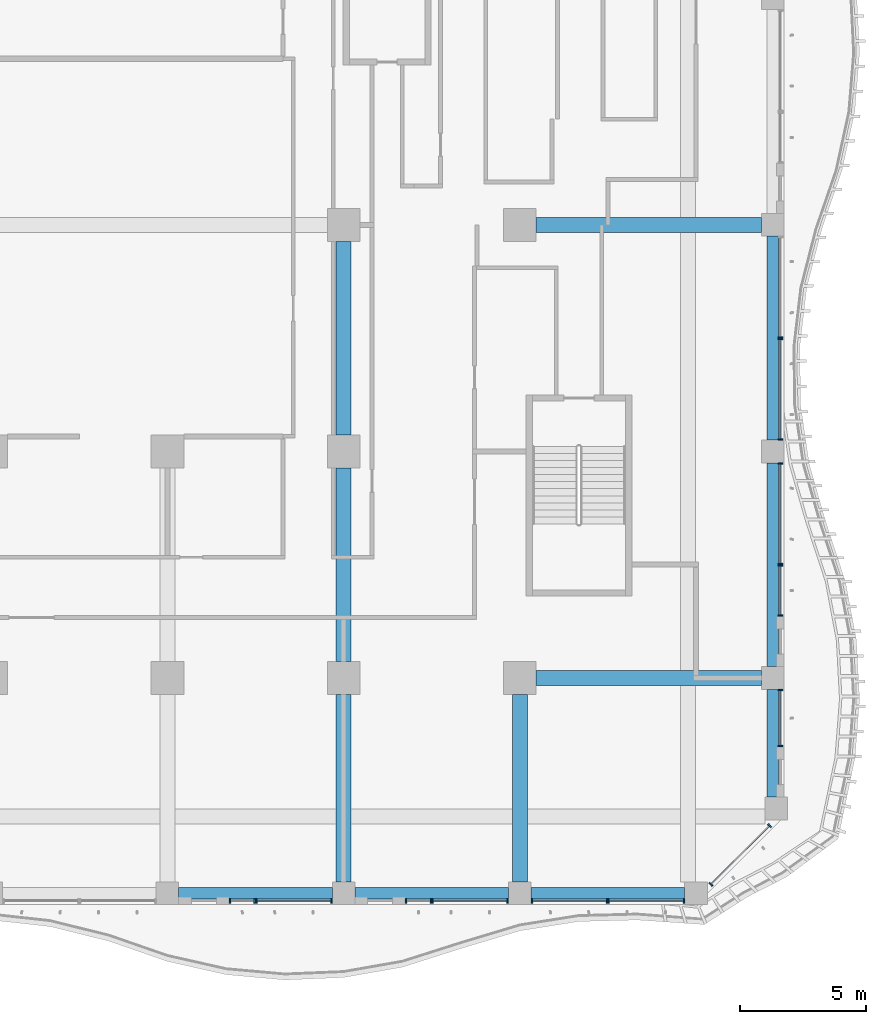
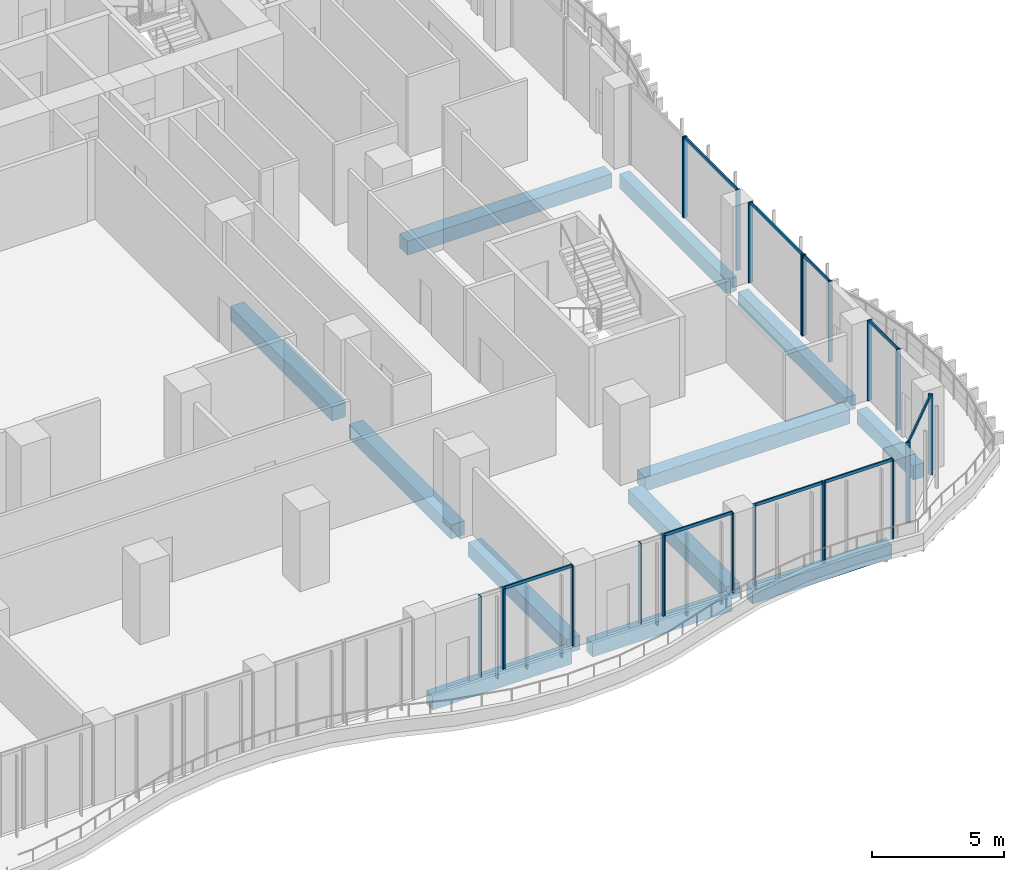
# One storey, part 4 of 27: 32 members, 12 beams, 12 elements without a shape of their own.
"""IFC4 building model written with IfcOpenShell, lengths in metres."""

from ifc_helpers import new_model, si_unit, direction, frame, origin, origin_2d, place, context, subcontext, project, spatial, rectangle, extrude, source, transform, mapped, material, material_profile, profile_set, type_object, element, aggregate, save


model = new_model("IFC4")

# Units and contexts
model_context = context("Model", 3, precision=1e-05, world=origin(), true_north=direction((0.0, 1.0)))
body_context = subcontext(model_context, "Body", "Model", "MODEL_VIEW")
ifc_project = project(units=[si_unit("LENGTHUNIT", "METRE"), si_unit("AREAUNIT", "SQUARE_METRE"), si_unit("VOLUMEUNIT", "CUBIC_METRE"), si_unit("PLANEANGLEUNIT", "RADIAN"), si_unit("MASSUNIT", "GRAM", prefix="KILO")], contexts=[model_context])

# Site, building, storey
site_placement = place(None, origin())
site = spatial("IfcSite", under=ifc_project, at=site_placement, CompositionType="ELEMENT")
building_placement = place(site_placement, origin())
building = spatial("IfcBuilding", under=site, at=building_placement, Name="Kilnfold Tower and Market Hall", CompositionType="ELEMENT")
storey_placement = place(building_placement, frame((0.0, 0.0, 47.0)))
storey = spatial("IfcBuildingStorey", under=building, at=storey_placement, Name="L10", CompositionType="ELEMENT", Elevation=47.0)

# Beams
ifc_material_1 = material(Name="Concrete C45", Category="concrete")
ifc_material_profile_1 = material_profile(ifc_material_1, rectangle(XDim=0.449951171875, YDim=0.64990234375, at=origin_2d()), Name="RC 450x650")
ifc_profile_set_1 = profile_set([ifc_material_profile_1], Name="Concrete C45")
beam_type_1 = type_object("IfcBeamType", Name="EDGE BEAM 450X650 C45", PredefinedType="BEAM", material=ifc_profile_set_1)
shared_shape_1 = source(origin(), body_context, "Body", "SweptSolid", [
    extrude(rectangle(XDim=0.449951171875, YDim=0.64990234375, at=origin_2d()), origin(), (0.0, 0.0, 1.0), 6.10009765625),
])
for number, where, z_axis, x_axis, name in (
    (1, (3.949951171875, -27.550048828125, -0.60498046875), (1.0, 0.0, 0.0), (0.0, 1.0, 0.0), "Beam EB650-B1.4"),
    (2, (10.949951171875, -27.550048828125, -0.60498046875), (1.0, 0.0, 0.0), (0.0, 1.0, 0.0), "Beam EB650-B1.5"),
    (3, (17.949951171875, -27.550048828125, -0.60498046875), (1.0, 0.0, 0.0), (0.0, 1.0, 0.0), "Beam EB650-B1.6"),
):
    element("IfcBeam", number, at=place(storey_placement, frame(where, z_axis=z_axis, x_axis=x_axis)), inside=storey, type_object=beam_type_1, Name=name, PredefinedType="BEAM", context=body_context, shape_type="MappedRepresentation", body=[
        mapped(shared_shape_1, transform((0.0, 0.0, 0.0))),
    ])
ifc_material_2 = material(Name="Concrete C45", Category="concrete")
ifc_material_profile_2 = material_profile(ifc_material_2, rectangle(XDim=0.60009765625, YDim=0.64990234375, at=origin_2d()), Name="RC 600x650")
ifc_profile_set_2 = profile_set([ifc_material_profile_2], Name="Concrete C45")
beam_type_2 = type_object("IfcBeamType", Name="BEAM 600X650 C45", PredefinedType="BEAM", material=ifc_profile_set_2)
shared_shape_2 = source(origin(), body_context, "Body", "SweptSolid", [
    extrude(rectangle(XDim=0.60009765625, YDim=0.64990234375, at=origin_2d()), origin(), (0.0, 0.0, 1.0), 8.9501953125),
])
for number, where, z_axis, x_axis, name in (
    (4, (18.14990234375, -19.0, -0.60498046875), (1.0, 0.0, 0.0), (0.0, 1.0, 0.0), "Beam BB650-B1.12"),
    (5, (18.14990234375, -1.0, -0.60498046875), (1.0, 0.0, 0.0), (0.0, 1.0, 0.0), "Beam BB650-B1.20"),
):
    element("IfcBeam", number, at=place(storey_placement, frame(where, z_axis=z_axis, x_axis=x_axis)), inside=storey, type_object=beam_type_2, Name=name, PredefinedType="BEAM", context=body_context, shape_type="MappedRepresentation", body=[
        mapped(shared_shape_2, transform((0.0, 0.0, 0.0))),
    ])
shared_shape_3 = source(origin(), body_context, "Body", "SweptSolid", [
    extrude(rectangle(XDim=0.449951171875, YDim=0.64990234375, at=origin_2d()), origin(), (0.0, 0.0, 1.0), 8.10009765625),
])
for number, where, z_axis, x_axis, name in (
    (6, (27.550048828125, -18.550048828125, -0.60498046875), (0.0, 1.0, 0.0), (-1.0, 0.0, 0.0), "Beam EB650-B1.52"),
    (7, (27.550048828125, -9.550048828125, -0.60498046875), (0.0, 1.0, 0.0), (-1.0, 0.0, 0.0), "Beam EB650-B1.58"),
):
    element("IfcBeam", number, at=place(storey_placement, frame(where, z_axis=z_axis, x_axis=x_axis)), inside=storey, type_object=beam_type_1, Name=name, PredefinedType="BEAM", context=body_context, shape_type="MappedRepresentation", body=[
        mapped(shared_shape_3, transform((0.0, 0.0, 0.0))),
    ])
shared_shape_4 = source(origin(), body_context, "Body", "SweptSolid", [
    extrude(rectangle(XDim=0.60009765625, YDim=0.64990234375, at=origin_2d()), origin(), (0.0, 0.0, 1.0), 7.4501953125),
])
for number, where, z_axis, x_axis, name in (
    (8, (10.5, -27.10009765625, -0.60498046875), (0.0, 1.0, 0.0), (-1.0, 0.0, 0.0), "Beam BB650-B1.47"),
    (9, (17.5, -27.10009765625, -0.60498046875), (0.0, 1.0, 0.0), (-1.0, 0.0, 0.0), "Beam BB650-B1.50"),
):
    element("IfcBeam", number, at=place(storey_placement, frame(where, z_axis=z_axis, x_axis=x_axis)), inside=storey, type_object=beam_type_2, Name=name, PredefinedType="BEAM", context=body_context, shape_type="MappedRepresentation", body=[
        mapped(shared_shape_4, transform((0.0, 0.0, 0.0))),
    ])
shared_shape_5 = source(origin(), body_context, "Body", "SweptSolid", [
    extrude(rectangle(XDim=0.60009765625, YDim=0.64990234375, at=origin_2d()), origin(), (0.0, 0.0, 1.0), 7.7001953125),
])
for number, where, z_axis, x_axis, name in (
    (10, (10.5, -18.35009765625, -0.60498046875), (0.0, 1.0, 0.0), (-1.0, 0.0, 0.0), "Beam BB650-B1.48"),
    (11, (10.5, -9.35009765625, -0.60498046875), (0.0, 1.0, 0.0), (-1.0, 0.0, 0.0), "Beam BB650-B1.49"),
):
    element("IfcBeam", number, at=place(storey_placement, frame(where, z_axis=z_axis, x_axis=x_axis)), inside=storey, type_object=beam_type_2, Name=name, PredefinedType="BEAM", context=body_context, shape_type="MappedRepresentation", body=[
        mapped(shared_shape_5, transform((0.0, 0.0, 0.0))),
    ])
shared_shape_6 = source(origin(), body_context, "Body", "SweptSolid", [
    extrude(rectangle(XDim=0.449951171875, YDim=0.64990234375, at=origin_2d()), origin(), (0.0, 0.0, 1.0), 4.28173828125),
])
beam_placement = place(storey_placement, frame((27.550048828125, -23.731689453125, -0.60498046875), z_axis=(0.0, 1.0, 0.0), x_axis=(-1.0, 0.0, 0.0)))
element("IfcBeam", 12, at=beam_placement, inside=storey, type_object=beam_type_1, Name="Beam EB650-B1.51", PredefinedType="BEAM", context=body_context, shape_type="MappedRepresentation", body=[
    mapped(shared_shape_6, transform((0.0, 0.0, 0.0))),
])

# Curtain wall, members
ifc_material_3 = material(Name="Aluminium and double glazing", Category="aluminium")
curtain_wall_type = type_object("IfcCurtainWallType", Name="CW OF1 VALLEY GLAZING", PredefinedType="NOTDEFINED", material=ifc_material_3)
curtain_wall_1_placement = place(storey_placement, origin())
curtain_wall_1 = element("IfcCurtainWall", 13, at=curtain_wall_1_placement, inside=storey, type_object=curtain_wall_type, Name="Curtain wall CW1 L10 S", PredefinedType="NOTDEFINED")
ifc_material_4 = material(Name="Aluminium", Category="aluminium")
ifc_material_profile_3 = material_profile(ifc_material_4, rectangle(XDim=0.06005859375, YDim=0.179931640625, at=origin_2d()), Name="MULLION 60x180")
ifc_profile_set_3 = profile_set([ifc_material_profile_3], Name="Aluminium")
member_type_1 = type_object("IfcMemberType", Name="MULLION 60X180", PredefinedType="MULLION", material=ifc_profile_set_3)
shared_shape_7 = source(origin(), body_context, "Body", "SweptSolid", [
    extrude(rectangle(XDim=0.06005859375, YDim=0.179931640625, at=origin_2d()), origin(), (0.0, 0.0, 1.0), 3.719970703125),
])
member_1_placement = place(storey_placement, frame((5.97998046875, -27.85009765625, 0.0), z_axis=(0.0, 0.0, 1.0), x_axis=(1.0, 0.0, 0.0)))
member_1 = element("IfcMember", 14, at=member_1_placement, type_object=member_type_1, Name="CW1 mullion 1", PredefinedType="MULLION", context=body_context, shape_type="MappedRepresentation", body=[
    mapped(shared_shape_7, transform((0.0, 0.0, 0.0))),
])
member_2_placement = place(storey_placement, frame((6.969970703125, -27.85009765625, 0.0), z_axis=(0.0, 0.0, 1.0), x_axis=(1.0, 0.0, 0.0)))
member_2 = element("IfcMember", 15, at=member_2_placement, type_object=member_type_1, Name="CW1 mullion 2", PredefinedType="MULLION", context=body_context, shape_type="MappedRepresentation", body=[
    mapped(shared_shape_7, transform((0.0, 0.0, 0.0))),
])
aggregate(curtain_wall_1, [member_1, member_2])

curtain_wall_2_placement = place(storey_placement, origin())
curtain_wall_2 = element("IfcCurtainWall", 16, at=curtain_wall_2_placement, inside=storey, type_object=curtain_wall_type, Name="Curtain wall CW1 L10 S", PredefinedType="NOTDEFINED")
member_3_placement = place(storey_placement, frame((7.030029296875, -27.85009765625, 0.0), z_axis=(0.0, 0.0, 1.0), x_axis=(1.0, 0.0, 0.0)))
member_3 = element("IfcMember", 17, at=member_3_placement, type_object=member_type_1, Name="CW1 mullion 1", PredefinedType="MULLION", context=body_context, shape_type="MappedRepresentation", body=[
    mapped(shared_shape_7, transform((0.0, 0.0, 0.0))),
])
member_4_placement = place(storey_placement, frame((10.02001953125, -27.85009765625, 0.0), z_axis=(0.0, 0.0, 1.0), x_axis=(1.0, 0.0, 0.0)))
member_4 = element("IfcMember", 18, at=member_4_placement, type_object=member_type_1, Name="CW1 mullion 2", PredefinedType="MULLION", context=body_context, shape_type="MappedRepresentation", body=[
    mapped(shared_shape_7, transform((0.0, 0.0, 0.0))),
])

curtain_wall_3_placement = place(storey_placement, origin())
curtain_wall_3 = element("IfcCurtainWall", 19, at=curtain_wall_3_placement, inside=storey, type_object=curtain_wall_type, Name="Curtain wall CW1 L10 S", PredefinedType="NOTDEFINED")
member_5_placement = place(storey_placement, frame((12.97998046875, -27.85009765625, 0.0), z_axis=(0.0, 0.0, 1.0), x_axis=(1.0, 0.0, 0.0)))
member_5 = element("IfcMember", 20, at=member_5_placement, type_object=member_type_1, Name="CW1 mullion 1", PredefinedType="MULLION", context=body_context, shape_type="MappedRepresentation", body=[
    mapped(shared_shape_7, transform((0.0, 0.0, 0.0))),
])
member_6_placement = place(storey_placement, frame((13.969970703125, -27.85009765625, 0.0), z_axis=(0.0, 0.0, 1.0), x_axis=(1.0, 0.0, 0.0)))
member_6 = element("IfcMember", 21, at=member_6_placement, type_object=member_type_1, Name="CW1 mullion 2", PredefinedType="MULLION", context=body_context, shape_type="MappedRepresentation", body=[
    mapped(shared_shape_7, transform((0.0, 0.0, 0.0))),
])
aggregate(curtain_wall_3, [member_5, member_6])

curtain_wall_4_placement = place(storey_placement, origin())
curtain_wall_4 = element("IfcCurtainWall", 22, at=curtain_wall_4_placement, inside=storey, type_object=curtain_wall_type, Name="Curtain wall CW1 L10 S", PredefinedType="NOTDEFINED")
member_7_placement = place(storey_placement, frame((14.030029296875, -27.85009765625, 0.0), z_axis=(0.0, 0.0, 1.0), x_axis=(1.0, 0.0, 0.0)))
member_7 = element("IfcMember", 23, at=member_7_placement, type_object=member_type_1, Name="CW1 mullion 1", PredefinedType="MULLION", context=body_context, shape_type="MappedRepresentation", body=[
    mapped(shared_shape_7, transform((0.0, 0.0, 0.0))),
])
member_8_placement = place(storey_placement, frame((17.02001953125, -27.85009765625, 0.0), z_axis=(0.0, 0.0, 1.0), x_axis=(1.0, 0.0, 0.0)))
member_8 = element("IfcMember", 24, at=member_8_placement, type_object=member_type_1, Name="CW1 mullion 2", PredefinedType="MULLION", context=body_context, shape_type="MappedRepresentation", body=[
    mapped(shared_shape_7, transform((0.0, 0.0, 0.0))),
])

curtain_wall_5_placement = place(storey_placement, origin())
curtain_wall_5 = element("IfcCurtainWall", 25, at=curtain_wall_5_placement, inside=storey, type_object=curtain_wall_type, Name="Curtain wall CW1 L10 S", PredefinedType="NOTDEFINED")
member_9_placement = place(storey_placement, frame((17.97998046875, -27.85009765625, 0.0), z_axis=(0.0, 0.0, 1.0), x_axis=(1.0, 0.0, 0.0)))
member_9 = element("IfcMember", 26, at=member_9_placement, type_object=member_type_1, Name="CW1 mullion 1", PredefinedType="MULLION", context=body_context, shape_type="MappedRepresentation", body=[
    mapped(shared_shape_7, transform((0.0, 0.0, 0.0))),
])
member_10_placement = place(storey_placement, frame((20.969970703125, -27.85009765625, 0.0), z_axis=(0.0, 0.0, 1.0), x_axis=(1.0, 0.0, 0.0)))
member_10 = element("IfcMember", 27, at=member_10_placement, type_object=member_type_1, Name="CW1 mullion 2", PredefinedType="MULLION", context=body_context, shape_type="MappedRepresentation", body=[
    mapped(shared_shape_7, transform((0.0, 0.0, 0.0))),
])

curtain_wall_6_placement = place(storey_placement, origin())
curtain_wall_6 = element("IfcCurtainWall", 28, at=curtain_wall_6_placement, inside=storey, type_object=curtain_wall_type, Name="Curtain wall CW1 L10 S", PredefinedType="NOTDEFINED")
member_11_placement = place(storey_placement, frame((21.030029296875, -27.85009765625, 0.0), z_axis=(0.0, 0.0, 1.0), x_axis=(1.0, 0.0, 0.0)))
member_11 = element("IfcMember", 29, at=member_11_placement, type_object=member_type_1, Name="CW1 mullion 1", PredefinedType="MULLION", context=body_context, shape_type="MappedRepresentation", body=[
    mapped(shared_shape_7, transform((0.0, 0.0, 0.0))),
])
member_12_placement = place(storey_placement, frame((24.02001953125, -27.85009765625, 0.0), z_axis=(0.0, 0.0, 1.0), x_axis=(1.0, 0.0, 0.0)))
member_12 = element("IfcMember", 30, at=member_12_placement, type_object=member_type_1, Name="CW1 mullion 2", PredefinedType="MULLION", context=body_context, shape_type="MappedRepresentation", body=[
    mapped(shared_shape_7, transform((0.0, 0.0, 0.0))),
])

curtain_wall_7_placement = place(storey_placement, origin())
curtain_wall_7 = element("IfcCurtainWall", 31, at=curtain_wall_7_placement, inside=storey, type_object=curtain_wall_type, Name="Curtain wall CW1 L10 SE", PredefinedType="NOTDEFINED")
member_13_placement = place(storey_placement, frame((25.090087890625, -27.19775390625, 0.0), z_axis=(0.0, 0.0, 1.0), x_axis=(0.707121667181, 0.707091894879, 0.0)))
member_13 = element("IfcMember", 32, at=member_13_placement, type_object=member_type_1, Name="CW1 mullion 1", PredefinedType="MULLION", context=body_context, shape_type="MappedRepresentation", body=[
    mapped(shared_shape_7, transform((0.0, 0.0, 0.0))),
])
member_14_placement = place(storey_placement, frame((27.4228515625, -24.865234375, 0.0), z_axis=(0.0, 0.0, 1.0), x_axis=(0.707121667181, 0.707091894879, 0.0)))
member_14 = element("IfcMember", 33, at=member_14_placement, type_object=member_type_1, Name="CW1 mullion 2", PredefinedType="MULLION", context=body_context, shape_type="MappedRepresentation", body=[
    mapped(shared_shape_7, transform((0.0, 0.0, 0.0))),
])

curtain_wall_8_placement = place(storey_placement, origin())
curtain_wall_8 = element("IfcCurtainWall", 34, at=curtain_wall_8_placement, inside=storey, type_object=curtain_wall_type, Name="Curtain wall CW1 L10 E", PredefinedType="NOTDEFINED")
member_15_placement = place(storey_placement, frame((27.85009765625, -21.701904296875, 0.0), z_axis=(0.0, 0.0, 1.0), x_axis=(0.0, 1.0, 0.0)))
member_15 = element("IfcMember", 35, at=member_15_placement, type_object=member_type_1, Name="CW1 mullion 1", PredefinedType="MULLION", context=body_context, shape_type="MappedRepresentation", body=[
    mapped(shared_shape_7, transform((0.0, 0.0, 0.0))),
])
member_16_placement = place(storey_placement, frame((27.85009765625, -19.47998046875, 0.0), z_axis=(0.0, 0.0, 1.0), x_axis=(0.0, 1.0, 0.0)))
member_16 = element("IfcMember", 36, at=member_16_placement, type_object=member_type_1, Name="CW1 mullion 2", PredefinedType="MULLION", context=body_context, shape_type="MappedRepresentation", body=[
    mapped(shared_shape_7, transform((0.0, 0.0, 0.0))),
])

curtain_wall_9_placement = place(storey_placement, origin())
curtain_wall_9 = element("IfcCurtainWall", 37, at=curtain_wall_9_placement, inside=storey, type_object=curtain_wall_type, Name="Curtain wall CW1 L10 E", PredefinedType="NOTDEFINED")
member_17_placement = place(storey_placement, frame((27.85009765625, -16.52001953125, 0.0), z_axis=(0.0, 0.0, 1.0), x_axis=(0.0, 1.0, 0.0)))
member_17 = element("IfcMember", 38, at=member_17_placement, type_object=member_type_1, Name="CW1 mullion 1", PredefinedType="MULLION", context=body_context, shape_type="MappedRepresentation", body=[
    mapped(shared_shape_7, transform((0.0, 0.0, 0.0))),
])
member_18_placement = place(storey_placement, frame((27.85009765625, -14.530029296875, 0.0), z_axis=(0.0, 0.0, 1.0), x_axis=(0.0, 1.0, 0.0)))
member_18 = element("IfcMember", 39, at=member_18_placement, type_object=member_type_1, Name="CW1 mullion 2", PredefinedType="MULLION", context=body_context, shape_type="MappedRepresentation", body=[
    mapped(shared_shape_7, transform((0.0, 0.0, 0.0))),
])

curtain_wall_10_placement = place(storey_placement, origin())
curtain_wall_10 = element("IfcCurtainWall", 40, at=curtain_wall_10_placement, inside=storey, type_object=curtain_wall_type, Name="Curtain wall CW1 L10 E", PredefinedType="NOTDEFINED")
member_19_placement = place(storey_placement, frame((27.85009765625, -14.469970703125, 0.0), z_axis=(0.0, 0.0, 1.0), x_axis=(0.0, 1.0, 0.0)))
member_19 = element("IfcMember", 41, at=member_19_placement, type_object=member_type_1, Name="CW1 mullion 1", PredefinedType="MULLION", context=body_context, shape_type="MappedRepresentation", body=[
    mapped(shared_shape_7, transform((0.0, 0.0, 0.0))),
])
member_20_placement = place(storey_placement, frame((27.85009765625, -10.47998046875, 0.0), z_axis=(0.0, 0.0, 1.0), x_axis=(0.0, 1.0, 0.0)))
member_20 = element("IfcMember", 42, at=member_20_placement, type_object=member_type_1, Name="CW1 mullion 2", PredefinedType="MULLION", context=body_context, shape_type="MappedRepresentation", body=[
    mapped(shared_shape_7, transform((0.0, 0.0, 0.0))),
])

curtain_wall_11_placement = place(storey_placement, origin())
curtain_wall_11 = element("IfcCurtainWall", 43, at=curtain_wall_11_placement, inside=storey, type_object=curtain_wall_type, Name="Curtain wall CW1 L10 E", PredefinedType="NOTDEFINED")
member_21_placement = place(storey_placement, frame((27.85009765625, -9.52001953125, 0.0), z_axis=(0.0, 0.0, 1.0), x_axis=(0.0, 1.0, 0.0)))
member_21 = element("IfcMember", 44, at=member_21_placement, type_object=member_type_1, Name="CW1 mullion 1", PredefinedType="MULLION", context=body_context, shape_type="MappedRepresentation", body=[
    mapped(shared_shape_7, transform((0.0, 0.0, 0.0))),
])
member_22_placement = place(storey_placement, frame((27.85009765625, -5.530029296875, 0.0), z_axis=(0.0, 0.0, 1.0), x_axis=(0.0, 1.0, 0.0)))
member_22 = element("IfcMember", 45, at=member_22_placement, type_object=member_type_1, Name="CW1 mullion 2", PredefinedType="MULLION", context=body_context, shape_type="MappedRepresentation", body=[
    mapped(shared_shape_7, transform((0.0, 0.0, 0.0))),
])

# Curtain wall, member
curtain_wall_12_placement = place(storey_placement, origin())
curtain_wall_12 = element("IfcCurtainWall", 46, at=curtain_wall_12_placement, inside=storey, type_object=curtain_wall_type, Name="Curtain wall CW1 L10 E", PredefinedType="NOTDEFINED")
member_23_placement = place(storey_placement, frame((27.85009765625, -5.469970703125, 0.0), z_axis=(0.0, 0.0, 1.0), x_axis=(0.0, 1.0, 0.0)))
member_23 = element("IfcMember", 47, at=member_23_placement, type_object=member_type_1, Name="CW1 mullion 1", PredefinedType="MULLION", context=body_context, shape_type="MappedRepresentation", body=[
    mapped(shared_shape_7, transform((0.0, 0.0, 0.0))),
])
aggregate(curtain_wall_12, [member_23])

# Member
ifc_material_5 = material(Name="Aluminium", Category="aluminium")
ifc_material_profile_4 = material_profile(ifc_material_5, rectangle(XDim=0.06005859375, YDim=0.139892578125, at=origin_2d()), Name="TRANSOM 60x140")
ifc_profile_set_4 = profile_set([ifc_material_profile_4], Name="Aluminium")
member_type_2 = type_object("IfcMemberType", Name="TRANSOM 60X140", PredefinedType="USERDEFINED", material=ifc_profile_set_4)
shared_shape_8 = source(origin(), body_context, "Body", "SweptSolid", [
    extrude(rectangle(XDim=0.06005859375, YDim=0.139892578125, at=origin_2d()), origin(), (0.0, 0.0, 1.0), 2.929931640625),
])
member_24_placement = place(storey_placement, frame((7.06005859375, -27.85009765625, 3.68994140625), z_axis=(1.0, 0.0, 0.0), x_axis=(0.0, 1.0, 0.0)))
member_24 = element("IfcMember", 48, at=member_24_placement, type_object=member_type_2, Name="CW1 transom 1.2", ObjectType="TRANSOM", PredefinedType="USERDEFINED", context=body_context, shape_type="MappedRepresentation", body=[
    mapped(shared_shape_8, transform((0.0, 0.0, 0.0))),
])

aggregate(curtain_wall_2, [member_3, member_4, member_24])

member_25_placement = place(storey_placement, frame((14.06005859375, -27.85009765625, 3.68994140625), z_axis=(1.0, 0.0, 0.0), x_axis=(0.0, 1.0, 0.0)))
member_25 = element("IfcMember", 49, at=member_25_placement, type_object=member_type_2, Name="CW1 transom 1.2", ObjectType="TRANSOM", PredefinedType="USERDEFINED", context=body_context, shape_type="MappedRepresentation", body=[
    mapped(shared_shape_8, transform((0.0, 0.0, 0.0))),
])

aggregate(curtain_wall_4, [member_7, member_8, member_25])

member_26_placement = place(storey_placement, frame((18.010009765625, -27.85009765625, 3.68994140625), z_axis=(1.0, 0.0, 0.0), x_axis=(0.0, 1.0, 0.0)))
member_26 = element("IfcMember", 50, at=member_26_placement, type_object=member_type_2, Name="CW1 transom 1.2", ObjectType="TRANSOM", PredefinedType="USERDEFINED", context=body_context, shape_type="MappedRepresentation", body=[
    mapped(shared_shape_8, transform((0.0, 0.0, 0.0))),
])

aggregate(curtain_wall_5, [member_9, member_10, member_26])

member_27_placement = place(storey_placement, frame((21.06005859375, -27.85009765625, 3.68994140625), z_axis=(1.0, 0.0, 0.0), x_axis=(0.0, 1.0, 0.0)))
member_27 = element("IfcMember", 51, at=member_27_placement, type_object=member_type_2, Name="CW1 transom 1.2", ObjectType="TRANSOM", PredefinedType="USERDEFINED", context=body_context, shape_type="MappedRepresentation", body=[
    mapped(shared_shape_8, transform((0.0, 0.0, 0.0))),
])

aggregate(curtain_wall_6, [member_11, member_12, member_27])

shared_shape_9 = source(origin(), body_context, "Body", "SweptSolid", [
    extrude(rectangle(XDim=0.06005859375, YDim=0.139892578125, at=origin_2d()), origin(), (0.0, 0.0, 1.0), 2.161865234375),
])
member_28_placement = place(storey_placement, frame((27.85009765625, -21.671875, 3.68994140625), z_axis=(0.0, 1.0, 0.0), x_axis=(-1.0, 0.0, 0.0)))
member_28 = element("IfcMember", 52, at=member_28_placement, type_object=member_type_2, Name="CW1 transom 1.2", ObjectType="TRANSOM", PredefinedType="USERDEFINED", context=body_context, shape_type="MappedRepresentation", body=[
    mapped(shared_shape_9, transform((0.0, 0.0, 0.0))),
])

aggregate(curtain_wall_8, [member_15, member_16, member_28])

shared_shape_10 = source(origin(), body_context, "Body", "SweptSolid", [
    extrude(rectangle(XDim=0.06005859375, YDim=0.139892578125, at=origin_2d()), origin(), (0.0, 0.0, 1.0), 3.929931640625),
])
member_29_placement = place(storey_placement, frame((27.85009765625, -14.43994140625, 3.68994140625), z_axis=(0.0, 1.0, 0.0), x_axis=(-1.0, 0.0, 0.0)))
member_29 = element("IfcMember", 53, at=member_29_placement, type_object=member_type_2, Name="CW1 transom 1.2", ObjectType="TRANSOM", PredefinedType="USERDEFINED", context=body_context, shape_type="MappedRepresentation", body=[
    mapped(shared_shape_10, transform((0.0, 0.0, 0.0))),
])

aggregate(curtain_wall_10, [member_19, member_20, member_29])

member_30_placement = place(storey_placement, frame((27.85009765625, -9.489990234375, 3.68994140625), z_axis=(0.0, 1.0, 0.0), x_axis=(-1.0, 0.0, 0.0)))
member_30 = element("IfcMember", 54, at=member_30_placement, type_object=member_type_2, Name="CW1 transom 1.2", ObjectType="TRANSOM", PredefinedType="USERDEFINED", context=body_context, shape_type="MappedRepresentation", body=[
    mapped(shared_shape_10, transform((0.0, 0.0, 0.0))),
])

aggregate(curtain_wall_11, [member_21, member_22, member_30])

shared_shape_11 = source(origin(), body_context, "Body", "SweptSolid", [
    extrude(rectangle(XDim=0.06005859375, YDim=0.139892578125, at=origin_2d()), origin(), (0.0, 0.0, 1.0), 1.929931640625),
])
member_31_placement = place(storey_placement, frame((27.85009765625, -16.489990234375, 3.68994140625), z_axis=(0.0, 1.0, 0.0), x_axis=(-1.0, 0.0, 0.0)))
member_31 = element("IfcMember", 55, at=member_31_placement, type_object=member_type_2, Name="CW1 transom 1.2", ObjectType="TRANSOM", PredefinedType="USERDEFINED", context=body_context, shape_type="MappedRepresentation", body=[
    mapped(shared_shape_11, transform((0.0, 0.0, 0.0))),
])

aggregate(curtain_wall_9, [member_17, member_18, member_31])

shared_shape_12 = source(origin(), body_context, "Body", "SweptSolid", [
    extrude(rectangle(XDim=0.06005859375, YDim=0.139892578125, at=origin_2d()), origin(), (0.0, 0.0, 1.0), 3.239013671875),
])
member_32_placement = place(storey_placement, frame((25.111328125, -27.176513671875, 3.68994140625), z_axis=(0.707106781187, 0.707106781187, 0.0), x_axis=(-0.707106781187, 0.707106781187, 0.0)))
member_32 = element("IfcMember", 56, at=member_32_placement, type_object=member_type_2, Name="CW1 transom 1.2", ObjectType="TRANSOM", PredefinedType="USERDEFINED", context=body_context, shape_type="MappedRepresentation", body=[
    mapped(shared_shape_12, transform((0.0, 0.0, 0.0))),
])

aggregate(curtain_wall_7, [member_13, member_14, member_32])

save(model, "model.ifc")
